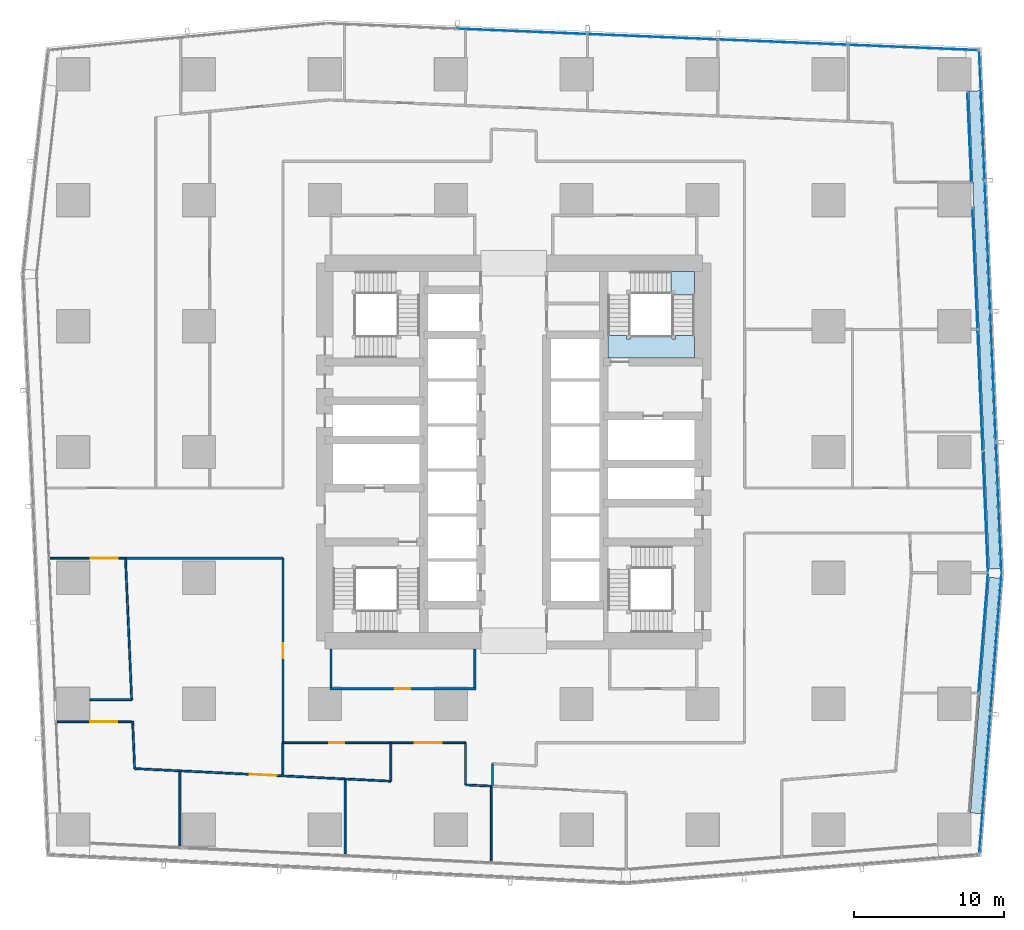
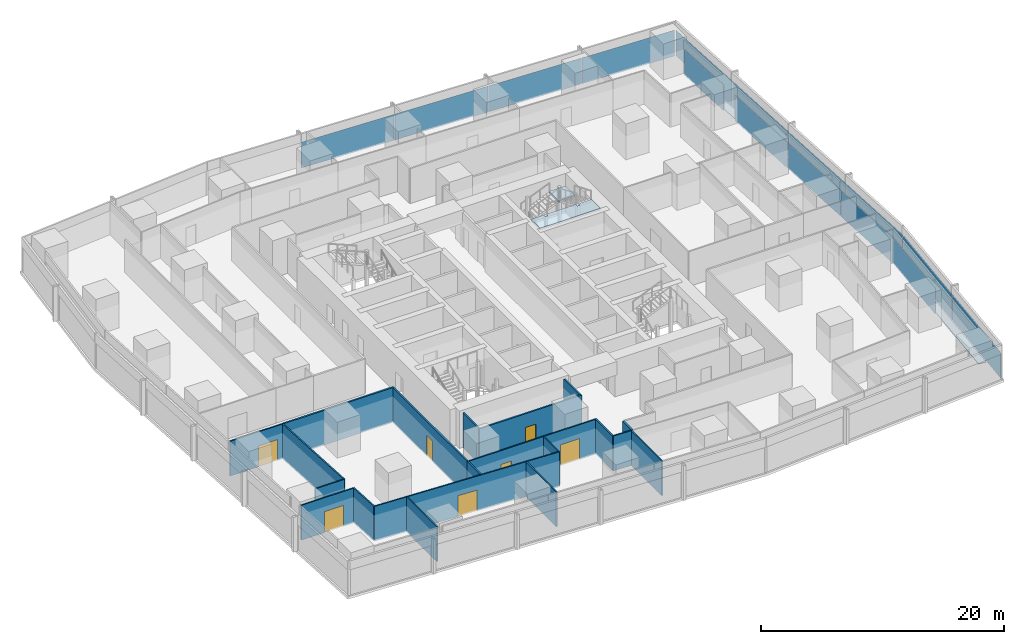
# One storey, part 31 of 44: 23 walls, 17 plates, 7 doors, 2 slabs, 7 openings, 7 elements without a shape of their own.
"""IFC4 building model written with IfcOpenShell, lengths in metres."""

from ifc_helpers import new_model, si_unit, direction, frame, frame_2d, origin, origin_2d, place, context, subcontext, project, spatial, polyline, rectangle, outline, extrude, material, layer, layer_set, type_object, element, fill, aggregate, save


model = new_model("IFC4")

# Units and contexts
model_context = context("Model", 3, precision=1e-05, world=origin(), true_north=direction((0.0, 1.0)))
body_context = subcontext(model_context, "Body", "Model", "MODEL_VIEW")
ifc_project = project(units=[si_unit("LENGTHUNIT", "METRE"), si_unit("AREAUNIT", "SQUARE_METRE"), si_unit("VOLUMEUNIT", "CUBIC_METRE"), si_unit("PLANEANGLEUNIT", "RADIAN"), si_unit("MASSUNIT", "GRAM", prefix="KILO")], contexts=[model_context])

# Site, building, storey
site_placement = place(None, origin())
site = spatial("IfcSite", under=ifc_project, at=site_placement, CompositionType="ELEMENT")
building_placement = place(site_placement, origin())
building = spatial("IfcBuilding", under=site, at=building_placement, Name="Rekha Terrace Tower", CompositionType="ELEMENT")
storey_placement = place(building_placement, frame((0.0, 0.0, 59.14990234375)))
storey = spatial("IfcBuildingStorey", under=building, at=storey_placement, Name="L14", CompositionType="ELEMENT", Elevation=59.14990234375)

# Curtain wall, plate
ifc_material_1 = material(Name="Aluminium framing", Category="aluminium")
curtain_wall_type_1 = type_object("IfcCurtainWallType", Name="CW1 double skin inner glazing", PredefinedType="USERDEFINED", material=ifc_material_1)
curtain_wall_1_placement = place(storey_placement, origin())
curtain_wall_1 = element("IfcCurtainWall", 1, at=curtain_wall_1_placement, inside=storey, type_object=curtain_wall_type_1, Name="CW1 double skin inner glazing", ObjectType="DOUBLE SKIN INNER GLAZING", PredefinedType="USERDEFINED")
ifc_material_2 = material(Name="Double-glazed low-e unit 32", Category="glass")
ifc_layer_1 = layer(ifc_material_2, 0.031982421875)
ifc_layer_set_1 = layer_set([ifc_layer_1], Name="Double-glazed low-e unit 32")
plate_type_1 = type_object("IfcPlateType", Name="CW1 jumbo vision panel, double-glazed low-e unit 32", PredefinedType="CURTAIN_PANEL", material=ifc_layer_set_1)
plate_1_placement = place(storey_placement, frame((69.1220703125, 21.53759765625, 0.0), z_axis=(0.0, 0.0, 1.0), x_axis=(0.079116301, 0.996865392576, 0.0)))
plate_1 = element("IfcPlate", 2, at=plate_1_placement, type_object=plate_type_1, Name="CW1 panel 2.1", PredefinedType="CURTAIN_PANEL", context=body_context, shape_type="SweptSolid", body=[
    extrude(rectangle(XDim=7.988525390625, YDim=0.031982421875, at=origin_2d()), origin(), (0.0, 0.0, 1.0), 2.60009765625),
])
aggregate(curtain_wall_1, [plate_1])

# Curtain wall, plates
curtain_wall_2_placement = place(storey_placement, origin())
curtain_wall_2 = element("IfcCurtainWall", 3, at=curtain_wall_2_placement, inside=storey, type_object=curtain_wall_type_1, Name="CW1 double skin inner glazing", ObjectType="DOUBLE SKIN INNER GLAZING", PredefinedType="USERDEFINED")
plate_2_placement = place(storey_placement, frame((69.263671875, 29.60107421875, 0.0), z_axis=(0.0, 0.0, 1.0), x_axis=(-0.042696072921, 0.999088106904, 0.0)))
plate_2 = element("IfcPlate", 4, at=plate_2_placement, type_object=plate_type_1, Name="CW1 panel 1.1", PredefinedType="CURTAIN_PANEL", context=body_context, shape_type="SweptSolid", body=[
    extrude(rectangle(XDim=8.041015625, YDim=0.031982421875, at=origin_2d()), origin(), (0.0, 0.0, 1.0), 2.60009765625),
])
plate_3_placement = place(storey_placement, frame((68.9169921875, 37.7158203125, 0.0), z_axis=(0.0, 0.0, 1.0), x_axis=(-0.042696072921, 0.999088106904, 0.0)))
plate_3 = element("IfcPlate", 5, at=plate_3_placement, type_object=plate_type_1, Name="CW1 panel 2.1", PredefinedType="CURTAIN_PANEL", context=body_context, shape_type="SweptSolid", body=[
    extrude(rectangle(XDim=8.073486328125, YDim=0.031982421875, at=origin_2d()), origin(), (0.0, 0.0, 1.0), 2.60009765625),
])
plate_4_placement = place(storey_placement, frame((68.5703125, 45.83056640625, 0.0), z_axis=(0.0, 0.0, 1.0), x_axis=(-0.042696072921, 0.999088106904, 0.0)))
plate_4 = element("IfcPlate", 6, at=plate_4_placement, type_object=plate_type_1, Name="CW1 panel 3.1", PredefinedType="CURTAIN_PANEL", context=body_context, shape_type="SweptSolid", body=[
    extrude(rectangle(XDim=8.041015625, YDim=0.031982421875, at=origin_2d()), origin(), (0.0, 0.0, 1.0), 2.60009765625),
])
aggregate(curtain_wall_2, [plate_2, plate_3, plate_4])

# Curtain wall, plate
curtain_wall_3_placement = place(storey_placement, origin())
curtain_wall_3 = element("IfcCurtainWall", 7, at=curtain_wall_3_placement, inside=storey, type_object=curtain_wall_type_1, Name="CW1 double skin inner glazing", ObjectType="DOUBLE SKIN INNER GLAZING", PredefinedType="USERDEFINED")
plate_5_placement = place(storey_placement, frame((68.195556640625, 54.60009765625, 0.0), z_axis=(0.0, 0.0, 1.0), x_axis=(-0.042696073026, 0.9990881069, 0.0)))
plate_5 = element("IfcPlate", 8, at=plate_5_placement, type_object=plate_type_1, Name="CW1 panel 1.1", PredefinedType="CURTAIN_PANEL", context=body_context, shape_type="SweptSolid", body=[
    extrude(rectangle(XDim=6.027587890625, YDim=0.031982421875, at=origin_2d()), origin(), (0.0, 0.0, 1.0), 2.60009765625),
])
aggregate(curtain_wall_3, [plate_5])

# Curtain wall, plates
curtain_wall_type_2 = type_object("IfcCurtainWallType", Name="CW2 double skin outer glazing", PredefinedType="USERDEFINED", material=ifc_material_1)
curtain_wall_4_placement = place(storey_placement, origin())
curtain_wall_4 = element("IfcCurtainWall", 9, at=curtain_wall_4_placement, inside=storey, type_object=curtain_wall_type_2, Name="CW2 double skin outer glazing", ObjectType="DOUBLE SKIN OUTER GLAZING", PredefinedType="USERDEFINED")
ifc_material_3 = material(Name="Toughened single glazing 12", Category="glass")
ifc_layer_2 = layer(ifc_material_3, 0.011962890625)
ifc_layer_set_2 = layer_set([ifc_layer_2], Name="Toughened single glazing 12")
plate_type_2 = type_object("IfcPlateType", Name="CW2 jumbo vision panel, toughened single glazing 12", PredefinedType="CURTAIN_PANEL", material=ifc_layer_set_2)
plate_6_placement = place(storey_placement, frame((69.22509765625, 11.45703125, 0.0), z_axis=(0.0, 0.0, 1.0), x_axis=(0.079116301017, 0.996865392575, 0.0)))
plate_6 = element("IfcPlate", 10, at=plate_6_placement, type_object=plate_type_2, Name="CW2 panel 1.1", PredefinedType="CURTAIN_PANEL", context=body_context, shape_type="SweptSolid", body=[
    extrude(rectangle(XDim=9.28662109375, YDim=0.011962890625, at=origin_2d()), origin(), (0.0, 0.0, 1.0), 2.60009765625),
])
plate_7_placement = place(storey_placement, frame((69.96923828125, 20.834228515625, 0.0), z_axis=(0.0, 0.0, 1.0), x_axis=(0.079116301017, 0.996865392575, 0.0)))
plate_7 = element("IfcPlate", 11, at=plate_7_placement, type_object=plate_type_2, Name="CW2 panel 2.1", PredefinedType="CURTAIN_PANEL", context=body_context, shape_type="SweptSolid", body=[
    extrude(rectangle(XDim=9.36669921875, YDim=0.011962890625, at=origin_2d()), origin(), (0.0, 0.0, 1.0), 2.60009765625),
])
aggregate(curtain_wall_4, [plate_6, plate_7])

curtain_wall_5_placement = place(storey_placement, origin())
curtain_wall_5 = element("IfcCurtainWall", 12, at=curtain_wall_5_placement, inside=storey, type_object=curtain_wall_type_2, Name="CW2 double skin outer glazing", ObjectType="DOUBLE SKIN OUTER GLAZING", PredefinedType="USERDEFINED")
plate_8_placement = place(storey_placement, frame((70.152099609375, 29.890869140625, 0.0), z_axis=(0.0, 0.0, 1.0), x_axis=(-0.042696072956, 0.999088106903, 0.0)))
plate_8 = element("IfcPlate", 13, at=plate_8_placement, type_object=plate_type_2, Name="CW2 panel 1.1", PredefinedType="CURTAIN_PANEL", context=body_context, shape_type="SweptSolid", body=[
    extrude(rectangle(XDim=8.623779296875, YDim=0.011962890625, at=origin_2d()), origin(), (0.0, 0.0, 1.0), 2.60009765625),
])
plate_9_placement = place(storey_placement, frame((69.77978515625, 38.606689453125, 0.0), z_axis=(0.0, 0.0, 1.0), x_axis=(-0.042696072956, 0.999088106903, 0.0)))
plate_9 = element("IfcPlate", 14, at=plate_9_placement, type_object=plate_type_2, Name="CW2 panel 2.1", PredefinedType="CURTAIN_PANEL", context=body_context, shape_type="SweptSolid", body=[
    extrude(rectangle(XDim=8.663818359375, YDim=0.011962890625, at=origin_2d()), origin(), (0.0, 0.0, 1.0), 2.60009765625),
])
plate_10_placement = place(storey_placement, frame((69.406494140625, 47.342529296875, 0.0), z_axis=(0.0, 0.0, 1.0), x_axis=(-0.042696072956, 0.999088106903, 0.0)))
plate_10 = element("IfcPlate", 15, at=plate_10_placement, type_object=plate_type_2, Name="CW2 panel 3.1", PredefinedType="CURTAIN_PANEL", context=body_context, shape_type="SweptSolid", body=[
    extrude(rectangle(XDim=8.663818359375, YDim=0.011962890625, at=origin_2d()), origin(), (0.0, 0.0, 1.0), 2.60009765625),
])
plate_11_placement = place(storey_placement, frame((69.033935546875, 56.058349609375, 0.0), z_axis=(0.0, 0.0, 1.0), x_axis=(-0.042696072956, 0.999088106903, 0.0)))
plate_11 = element("IfcPlate", 16, at=plate_11_placement, type_object=plate_type_2, Name="CW2 panel 4.1", PredefinedType="CURTAIN_PANEL", context=body_context, shape_type="SweptSolid", body=[
    extrude(rectangle(XDim=8.623779296875, YDim=0.011962890625, at=origin_2d()), origin(), (0.0, 0.0, 1.0), 2.60009765625),
])
aggregate(curtain_wall_5, [plate_8, plate_9, plate_10, plate_11])

curtain_wall_type_3 = type_object("IfcCurtainWallType", Name="CW3 north unitised glazing", PredefinedType="USERDEFINED", material=ifc_material_1)
curtain_wall_6_placement = place(storey_placement, origin())
curtain_wall_6 = element("IfcCurtainWall", 17, at=curtain_wall_6_placement, inside=storey, type_object=curtain_wall_type_3, Name="CW3 unitised curtain wall", ObjectType="UNITISED CURTAIN WALL", PredefinedType="USERDEFINED")
ifc_material_4 = material(Name="Double-glazed unit 28", Category="glass")
ifc_layer_3 = layer(ifc_material_4, 0.028076171875)
ifc_layer_set_3 = layer_set([ifc_layer_3], Name="Double-glazed unit 28")
plate_type_3 = type_object("IfcPlateType", Name="CW3 jumbo vision panel, double-glazed unit 28", PredefinedType="CURTAIN_PANEL", material=ifc_layer_set_3)
plate_12_placement = place(storey_placement, frame((64.4423828125, 60.587646484375, 0.0), z_axis=(0.0, 0.0, 1.0), x_axis=(-0.999151997647, 0.041173846041, 0.0)))
plate_12 = element("IfcPlate", 18, at=plate_12_placement, type_object=plate_type_3, Name="CW3 panel 1.1", PredefinedType="CURTAIN_PANEL", context=body_context, shape_type="SweptSolid", body=[
    extrude(rectangle(XDim=8.598876953125, YDim=0.028076171875, at=origin_2d()), origin(), (0.0, 0.0, 1.0), 2.60009765625),
])
plate_13_placement = place(storey_placement, frame((55.76318359375, 60.9453125, 0.0), z_axis=(0.0, 0.0, 1.0), x_axis=(-0.999151997647, 0.041173846041, 0.0)))
plate_13 = element("IfcPlate", 19, at=plate_13_placement, type_object=plate_type_3, Name="CW3 panel 2.1", PredefinedType="CURTAIN_PANEL", context=body_context, shape_type="SweptSolid", body=[
    extrude(rectangle(XDim=8.6337890625, YDim=0.028076171875, at=origin_2d()), origin(), (0.0, 0.0, 1.0), 2.60009765625),
])
plate_14_placement = place(storey_placement, frame((47.066650390625, 61.3037109375, 0.0), z_axis=(0.0, 0.0, 1.0), x_axis=(-0.999151997647, 0.041173846041, 0.0)))
plate_14 = element("IfcPlate", 20, at=plate_14_placement, type_object=plate_type_3, Name="CW3 panel 3.1", PredefinedType="CURTAIN_PANEL", context=body_context, shape_type="SweptSolid", body=[
    extrude(rectangle(XDim=8.6337890625, YDim=0.028076171875, at=origin_2d()), origin(), (0.0, 0.0, 1.0), 2.60009765625),
])
plate_15_placement = place(storey_placement, frame((38.370361328125, 61.662109375, 0.0), z_axis=(0.0, 0.0, 1.0), x_axis=(-0.999151997647, 0.041173846041, 0.0)))
plate_15 = element("IfcPlate", 21, at=plate_15_placement, type_object=plate_type_3, Name="CW3 panel 4.1", PredefinedType="CURTAIN_PANEL", context=body_context, shape_type="SweptSolid", body=[
    extrude(rectangle(XDim=8.6337890625, YDim=0.028076171875, at=origin_2d()), origin(), (0.0, 0.0, 1.0), 2.60009765625),
])
aggregate(curtain_wall_6, [plate_12, plate_13, plate_14, plate_15])

# Plates
ifc_material_5 = material(Name="Galvanised steel open grating", Category="steel")
ifc_layer_4 = layer(ifc_material_5, 0.050048828125)
ifc_layer_set_4 = layer_set([ifc_layer_4], Name="Galvanised steel open grating")
plate_type_4 = type_object("IfcPlateType", Name="GT1 cavity walkway grating 50", PredefinedType="USERDEFINED", material=ifc_layer_set_4)
plate_16_placement = place(storey_placement, frame((69.241455078125, 17.353515625, 0.0), z_axis=(0.0, 0.0, 1.0), x_axis=(0.079116301, 0.996865392576, 0.0)))
element("IfcPlate", 22, at=plate_16_placement, inside=storey, type_object=plate_type_4, Name="Cavity walkway grating", ObjectType="CAVITY WALKWAY GRATING", PredefinedType="USERDEFINED", context=body_context, shape_type="SweptSolid", body=[
    extrude(rectangle(XDim=15.7666015625, YDim=0.705078125, at=origin_2d()), origin(), (0.0, 0.0, 1.0), 0.050048828125),
])
plate_17_placement = place(storey_placement, frame((69.195068359375, 41.75, 0.0), z_axis=(0.0, 0.0, 1.0), x_axis=(-0.042696072939, 0.999088106903, 0.0)))
element("IfcPlate", 23, at=plate_17_placement, inside=storey, type_object=plate_type_4, Name="Cavity walkway grating", ObjectType="CAVITY WALKWAY GRATING", PredefinedType="USERDEFINED", context=body_context, shape_type="SweptSolid", body=[
    extrude(rectangle(XDim=31.9072265625, YDim=0.705078125, at=origin_2d()), origin(), (0.0, 0.0, 1.0), 0.050048828125),
])

# Stair, slabs
ifc_material_6 = material(Name="Concrete M40", Category="concrete")
stair_type = type_object("IfcStairType", Name="ST30 stair, 30 risers of 125, going 300, 1500 wide flights, 3 flights", PredefinedType="HALF_TURN_STAIR", material=ifc_material_6)
stair_placement = place(storey_placement, origin())
stair = element("IfcStair", 24, at=stair_placement, inside=storey, type_object=stair_type, Name="Stair ST2 L14 to L15", PredefinedType="HALF_TURN_STAIR")
ifc_layer_5 = layer(ifc_material_6, 0.199951171875)
ifc_layer_set_5 = layer_set([ifc_layer_5], Name="Concrete M40")
slab_type = type_object("IfcSlabType", Name="LD1 200 concrete stair landing", PredefinedType="LANDING", material=ifc_layer_set_5)
slab_1_placement = place(storey_placement, frame((0.0, 0.0, 2.300048828125)))
slab_1 = element("IfcSlab", 25, at=slab_1_placement, type_object=slab_type, Name="ST2 landing 2", PredefinedType="LANDING", context=body_context, shape_type="SweptSolid", body=[
    extrude(outline(polyline([(48.35009765625, 44.074951171875), (49.85009765625, 44.074951171875), (49.85009765625, 45.64990234375), (48.27490234375, 45.64990234375), (48.27490234375, 44.14990234375), (48.35009765625, 44.14990234375), (48.35009765625, 44.074951171875)])), origin(), (0.0, 0.0, 1.0), 0.199951171875),
])
slab_2_placement = place(storey_placement, frame((0.0, 0.0, 3.550048828125)))
slab_2 = element("IfcSlab", 26, at=slab_2_placement, type_object=slab_type, Name="ST2 landing 3", PredefinedType="LANDING", context=body_context, shape_type="SweptSolid", body=[
    extrude(outline(polyline([(44.074951171875, 41.375), (44.074951171875, 39.875), (49.85009765625, 39.875), (49.85009765625, 41.375), (48.60009765625, 41.375), (48.60009765625, 41.125), (48.35009765625, 41.125), (48.35009765625, 41.375), (45.574951171875, 41.375), (45.574951171875, 41.125), (45.324951171875, 41.125), (45.324951171875, 41.375), (44.074951171875, 41.375)])), origin(), (0.0, 0.0, 1.0), 0.199951171875),
])
aggregate(stair, [slab_1, slab_2])

# Wall, opening, door
ifc_material_7 = material(Name="Concrete block masonry, 1 hour", Category="masonry")
ifc_layer_6 = layer(ifc_material_7, 0.14990234375)
ifc_layer_set_6 = layer_set([ifc_layer_6], Name="Concrete block masonry, 1 hour")
wall_type_1 = type_object("IfcWallType", Name="WP2 150 tenancy partition", PredefinedType="PARTITIONING", material=ifc_layer_set_6)
wall_1_placement = place(storey_placement, frame((25.52490234375, 17.800048828125, 0.0), z_axis=(0.0, 0.0, 1.0), x_axis=(1.0, 0.0, 0.0)))
wall_1 = element("IfcWall", 27, at=wall_1_placement, inside=storey, type_object=wall_type_1, Name="Men's WC wall L14", PredefinedType="PARTITIONING", context=body_context, shape_type="SweptSolid", body=[
    extrude(rectangle(XDim=9.75, YDim=0.14990234375, at=frame_2d((4.875, 0.0))), origin(), (0.0, 0.0, 1.0), 3.5),
])
opening_1_placement = place(wall_1_placement, frame((4.375, 0.0, 0.0)))
opening_1 = element("IfcOpeningElement", 28, at=opening_1_placement, cuts=wall_1, Name="Opening D3", PredefinedType="OPENING", context=body_context, shape_type="SweptSolid", body=[
    extrude(rectangle(XDim=1.0, YDim=2.10009765625, at=frame_2d((0.5, 1.050048828125))), frame((0.0, 0.0849609375, 0.0), z_axis=(0.0, -1.0, 0.0), x_axis=(1.0, 0.0, 0.0)), (0.0, 0.0, 1.0), 0.169921875),
])
ifc_material_8 = material(Name="Laminated timber fire door", Category="wood")
door_type_1 = type_object("IfcDoorType", Name="D3 1000x2100 WC door", OperationType="SINGLE_SWING_LEFT", PredefinedType="DOOR", material=ifc_material_8)
door_1_placement = place(opening_1_placement, origin())
door_1 = element("IfcDoor", 29, at=door_1_placement, inside=storey, type_object=door_type_1, Name="Door men's wc L14", OperationType="SINGLE_SWING_LEFT", OverallHeight=2.10009765625, OverallWidth=1.0, PredefinedType="DOOR", context=body_context, shape_type="SweptSolid", body=[
    extrude(rectangle(XDim=1.0, YDim=2.10009765625, at=frame_2d((0.5, 1.050048828125))), frame((0.0, 0.02490234375, 0.0), z_axis=(0.0, -1.0, 0.0), x_axis=(1.0, 0.0, 0.0)), (0.0, 0.0, 1.0), 0.050048828125),
])
fill(opening_1, door_1)

# Walls
for number, where, z_axis, x_axis, name in (
    (30, (25.60009765625, 17.875, 0.0), (0.0, 0.0, 1.0), (0.0, 1.0, 0.0), "Men's WC wall L14"),
    (31, (35.199951171875, 17.875, 0.0), (0.0, 0.0, 1.0), (0.0, 1.0, 0.0), "Men's WC wall L14"),
):
    element("IfcWall", number, at=place(storey_placement, frame(where, z_axis=z_axis, x_axis=x_axis)), inside=storey, type_object=wall_type_1, Name=name, PredefinedType="PARTITIONING", context=body_context, shape_type="SweptSolid", body=[
        extrude(rectangle(XDim=2.574951171875, YDim=0.14990234375, at=frame_2d((1.28759765625, 0.0))), origin(), (0.0, 0.0, 1.0), 3.5),
    ])
wall_2_placement = place(storey_placement, frame((36.384033203125, 11.366943359375, 0.0), z_axis=(0.0, 0.0, 1.0), x_axis=(0.0, 1.0, 0.0)))
element("IfcWall", 32, at=wall_2_placement, inside=storey, type_object=wall_type_1, Name="Partition L14-O1", PredefinedType="PARTITIONING", context=body_context, shape_type="SweptSolid", body=[
    extrude(rectangle(XDim=1.43896484375, YDim=0.14990234375, at=frame_2d((0.719482421875, 0.0))), origin(), (0.0, 0.0, 1.0), 3.5),
])
wall_3_placement = place(storey_placement, frame((11.89599609375, 26.511962890625, 0.0), z_axis=(0.0, 0.0, 1.0), x_axis=(1.0, 0.0, 0.0)))
element("IfcWall", 33, at=wall_3_placement, inside=storey, type_object=wall_type_1, Name="Partition L14-O1b", PredefinedType="PARTITIONING", context=body_context, shape_type="SweptSolid", body=[
    extrude(rectangle(XDim=10.50390625, YDim=0.14990234375, at=frame_2d((5.251953125, 0.0))), origin(), (0.0, 0.0, 1.0), 3.5),
])

# Wall, opening, door
wall_4_placement = place(storey_placement, frame((22.39990234375, 26.511962890625, 0.0), z_axis=(0.0, 0.0, 1.0), x_axis=(0.0, -1.0, 0.0)))
wall_4 = element("IfcWall", 34, at=wall_4_placement, inside=storey, type_object=wall_type_1, Name="Partition L14-O1b", PredefinedType="PARTITIONING", context=body_context, shape_type="SweptSolid", body=[
    extrude(rectangle(XDim=12.31201171875, YDim=0.14990234375, at=frame_2d((6.156005859375, 0.0))), origin(), (0.0, 0.0, 1.0), 3.5),
])
opening_2_placement = place(wall_4_placement, frame((5.656005859375, 0.0, 0.0)))
opening_2 = element("IfcOpeningElement", 35, at=opening_2_placement, cuts=wall_4, Name="Opening D9", PredefinedType="OPENING", context=body_context, shape_type="SweptSolid", body=[
    extrude(rectangle(XDim=1.0, YDim=2.10009765625, at=frame_2d((0.5, 1.050048828125))), frame((0.0, 0.0849609375, 0.0), z_axis=(0.0, -1.0, 0.0), x_axis=(1.0, 0.0, 0.0)), (0.0, 0.0, 1.0), 0.169921875),
])
ifc_material_9 = material(Name="Timber fire door", Category="wood")
door_type_2 = type_object("IfcDoorType", Name="D9 1000x2100 office door", OperationType="SINGLE_SWING_LEFT", PredefinedType="DOOR", material=ifc_material_9)
door_2_placement = place(opening_2_placement, origin())
door_2 = element("IfcDoor", 36, at=door_2_placement, inside=storey, type_object=door_type_2, Name="Door open-plan office L14", OperationType="SINGLE_SWING_LEFT", OverallHeight=2.10009765625, OverallWidth=1.0, PredefinedType="DOOR", context=body_context, shape_type="SweptSolid", body=[
    extrude(rectangle(XDim=1.0, YDim=2.10009765625, at=frame_2d((0.5, 1.050048828125))), frame((0.0, 0.02490234375, 0.0), z_axis=(0.0, -1.0, 0.0), x_axis=(1.0, 0.0, 0.0)), (0.0, 0.0, 1.0), 0.050048828125),
])
fill(opening_2, door_2)

# Walls
ifc_material_10 = material(Name="Two layers of fire-rated gypsum board each side on steel studs, acoustic quilt, 1 hour", Category="steel")
ifc_layer_7 = layer(ifc_material_10, 0.125)
ifc_layer_set_7 = layer_set([ifc_layer_7], Name="Two layers of fire-rated gypsum board each side on steel studs, acoustic quilt, 1 hour")
wall_type_2 = type_object("IfcWallType", Name="WP3 125 office partition", PredefinedType="PARTITIONING", material=ifc_layer_set_7)
wall_5_placement = place(storey_placement, frame((36.299072265625, 6.2529296875, 0.0), z_axis=(0.0, 0.0, 1.0), x_axis=(0.0, 1.0, 0.0)))
element("IfcWall", 37, at=wall_5_placement, inside=storey, type_object=wall_type_2, Name="Partition L14-02", PredefinedType="PARTITIONING", context=body_context, shape_type="SweptSolid", body=[
    extrude(rectangle(XDim=5.05615234375, YDim=0.125, at=frame_2d((2.528076171875, 0.0))), origin(), (0.0, 0.0, 1.0), 3.5),
])
wall_6_placement = place(storey_placement, frame((11.89599609375, 26.511962890625, 0.0), z_axis=(0.0, 0.0, 1.0), x_axis=(0.043651567972, -0.999046816027, 0.0)))
element("IfcWall", 38, at=wall_6_placement, inside=storey, type_object=wall_type_2, Name="Partition L14-06", PredefinedType="PARTITIONING", context=body_context, shape_type="SweptSolid", body=[
    extrude(rectangle(XDim=9.44091796875, YDim=0.125, at=frame_2d((4.720458984375, 0.0))), origin(), (0.0, 0.0, 1.0), 3.5),
])
wall_7_placement = place(storey_placement, frame((12.30810546875, 17.080078125, 0.0), z_axis=(0.0, 0.0, 1.0), x_axis=(-1.0, 0.0, 0.0)))
element("IfcWall", 39, at=wall_7_placement, inside=storey, type_object=wall_type_2, Name="Partition L14-06", PredefinedType="PARTITIONING", context=body_context, shape_type="SweptSolid", body=[
    extrude(rectangle(XDim=2.7880859375, YDim=0.125, at=frame_2d((1.39404296875, 0.0))), origin(), (0.0, 0.0, 1.0), 3.5),
])

# Wall, opening, door
wall_8_placement = place(storey_placement, frame((6.87109375, 26.511962890625, 0.0), z_axis=(0.0, 0.0, 1.0), x_axis=(1.0, 0.0, 0.0)))
wall_8 = element("IfcWall", 40, at=wall_8_placement, inside=storey, type_object=wall_type_2, Name="Partition L14-06", PredefinedType="PARTITIONING", context=body_context, shape_type="SweptSolid", body=[
    extrude(rectangle(XDim=5.02490234375, YDim=0.125, at=frame_2d((2.512451171875, 0.0))), origin(), (0.0, 0.0, 1.0), 3.5),
])
opening_3_placement = place(wall_8_placement, frame((2.7119140625, 0.0, 0.0)))
opening_3 = element("IfcOpeningElement", 41, at=opening_3_placement, cuts=wall_8, Name="Opening D8", PredefinedType="OPENING", context=body_context, shape_type="SweptSolid", body=[
    extrude(rectangle(XDim=1.800048828125, YDim=2.10009765625, at=frame_2d((0.89990234375, 1.050048828125))), frame((0.0, 0.072509765625, 0.0), z_axis=(0.0, -1.0, 0.0), x_axis=(1.0, 0.0, 0.0)), (0.0, 0.0, 1.0), 0.14501953125),
])
door_type_3 = type_object("IfcDoorType", Name="D8 1800x2100 double leaf door", OperationType="DOUBLE_DOOR_SINGLE_SWING", PredefinedType="DOOR", material=ifc_material_9)
door_3_placement = place(opening_3_placement, origin())
door_3 = element("IfcDoor", 42, at=door_3_placement, inside=storey, type_object=door_type_3, Name="Door breakout lounge L14", OperationType="DOUBLE_DOOR_SINGLE_SWING", OverallHeight=2.10009765625, OverallWidth=1.800048828125, PredefinedType="DOOR", context=body_context, shape_type="SweptSolid", body=[
    extrude(rectangle(XDim=1.800048828125, YDim=2.10009765625, at=frame_2d((0.89990234375, 1.050048828125))), frame((0.0, 0.02490234375, 0.0), z_axis=(0.0, -1.0, 0.0), x_axis=(1.0, 0.0, 0.0)), (0.0, 0.0, 1.0), 0.050048828125),
])
fill(opening_3, door_3)

wall_9_placement = place(storey_placement, frame((7.346923828125, 15.60791015625, 0.0), z_axis=(0.0, 0.0, 1.0), x_axis=(1.0, 0.0, 0.0)))
wall_9 = element("IfcWall", 43, at=wall_9_placement, inside=storey, type_object=wall_type_2, Name="Partition L14-07", PredefinedType="PARTITIONING", context=body_context, shape_type="SweptSolid", body=[
    extrude(rectangle(XDim=4.963134765625, YDim=0.125, at=frame_2d((2.4814453125, 0.0))), origin(), (0.0, 0.0, 1.0), 3.5),
])
opening_4_placement = place(wall_9_placement, frame((2.2119140625, 0.0, 0.0)))
opening_4 = element("IfcOpeningElement", 44, at=opening_4_placement, cuts=wall_9, Name="Opening D8", PredefinedType="OPENING", context=body_context, shape_type="SweptSolid", body=[
    extrude(rectangle(XDim=1.800048828125, YDim=2.10009765625, at=frame_2d((0.89990234375, 1.050048828125))), frame((0.0, 0.072509765625, 0.0), z_axis=(0.0, -1.0, 0.0), x_axis=(1.0, 0.0, 0.0)), (0.0, 0.0, 1.0), 0.14501953125),
])
door_4_placement = place(opening_4_placement, origin())
door_4 = element("IfcDoor", 45, at=door_4_placement, inside=storey, type_object=door_type_3, Name="Door meeting room L14", OperationType="DOUBLE_DOOR_SINGLE_SWING", OverallHeight=2.10009765625, OverallWidth=1.800048828125, PredefinedType="DOOR", context=body_context, shape_type="SweptSolid", body=[
    extrude(rectangle(XDim=1.800048828125, YDim=2.10009765625, at=frame_2d((0.89990234375, 1.050048828125))), frame((0.0, 0.02490234375, 0.0), z_axis=(0.0, -1.0, 0.0), x_axis=(1.0, 0.0, 0.0)), (0.0, 0.0, 1.0), 0.050048828125),
])
fill(opening_4, door_4)

# Walls
wall_10_placement = place(storey_placement, frame((12.37109375, 15.64306640625, 0.0), z_axis=(0.0, 0.0, 1.0), x_axis=(0.043527491497, -0.999052229608, 0.0)))
element("IfcWall", 46, at=wall_10_placement, inside=storey, type_object=wall_type_2, Name="Partition L14-07", PredefinedType="PARTITIONING", context=body_context, shape_type="SweptSolid", body=[
    extrude(rectangle(XDim=3.1689453125, YDim=0.125, at=frame_2d((1.58447265625, 0.0))), origin(), (0.0, 0.0, 1.0), 3.5),
])
wall_11_placement = place(storey_placement, frame((12.509033203125, 12.47705078125, 0.0), z_axis=(0.0, 0.0, 1.0), x_axis=(0.9987981005, -0.049013818844, 0.0)))
element("IfcWall", 47, at=wall_11_placement, inside=storey, type_object=wall_type_2, Name="Partition L14-07", PredefinedType="PARTITIONING", context=body_context, shape_type="SweptSolid", body=[
    extrude(rectangle(XDim=3.0185546875, YDim=0.125, at=frame_2d((1.50927734375, 0.0))), origin(), (0.0, 0.0, 1.0), 3.5),
])
wall_12_placement = place(storey_placement, frame((15.52392578125, 12.3291015625, 0.0), z_axis=(0.0, 0.0, 1.0), x_axis=(0.0, -1.0, 0.0)))
element("IfcWall", 48, at=wall_12_placement, inside=storey, type_object=wall_type_2, Name="Partition L14-07", PredefinedType="PARTITIONING", context=body_context, shape_type="SweptSolid", body=[
    extrude(rectangle(XDim=5.026123046875, YDim=0.125, at=frame_2d((2.51318359375, 0.0))), origin(), (0.0, 0.0, 1.0), 3.5),
])

# Wall, opening, door
wall_13_placement = place(storey_placement, frame((15.5859375, 12.325927734375, 0.0), z_axis=(0.0, 0.0, 1.0), x_axis=(0.998798341691, -0.04900890364, 0.0)))
wall_13 = element("IfcWall", 49, at=wall_13_placement, inside=storey, type_object=wall_type_2, Name="Partition L14-08", PredefinedType="PARTITIONING", context=body_context, shape_type="SweptSolid", body=[
    extrude(rectangle(XDim=10.974365234375, YDim=0.125, at=frame_2d((5.4873046875, 0.0))), origin(), (0.0, 0.0, 1.0), 3.5),
])
opening_5_placement = place(wall_13_placement, frame((4.614990234375, 0.0, 0.0)))
opening_5 = element("IfcOpeningElement", 50, at=opening_5_placement, cuts=wall_13, Name="Opening D8", PredefinedType="OPENING", context=body_context, shape_type="SweptSolid", body=[
    extrude(rectangle(XDim=1.800048828125, YDim=2.10009765625, at=frame_2d((0.89990234375, 1.050048828125))), frame((0.0, 0.072509765625, 0.0), z_axis=(0.0, -1.0, 0.0), x_axis=(1.0, 0.0, 0.0)), (0.0, 0.0, 1.0), 0.14501953125),
])
door_5_placement = place(opening_5_placement, origin())
door_5 = element("IfcDoor", 51, at=door_5_placement, inside=storey, type_object=door_type_3, Name="Door quiet room L14", OperationType="DOUBLE_DOOR_SINGLE_SWING", OverallHeight=2.10009765625, OverallWidth=1.800048828125, PredefinedType="DOOR", context=body_context, shape_type="SweptSolid", body=[
    extrude(rectangle(XDim=1.800048828125, YDim=2.10009765625, at=frame_2d((0.89990234375, 1.050048828125))), frame((0.0, 0.02490234375, 0.0), z_axis=(0.0, -1.0, 0.0), x_axis=(1.0, 0.0, 0.0)), (0.0, 0.0, 1.0), 0.050048828125),
])
fill(opening_5, door_5)

# Walls
wall_14_placement = place(storey_placement, frame((26.547119140625, 11.72509765625, 0.0), z_axis=(0.0, 0.0, 1.0), x_axis=(0.0, -1.0, 0.0)))
element("IfcWall", 52, at=wall_14_placement, inside=storey, type_object=wall_type_2, Name="Partition L14-08", PredefinedType="PARTITIONING", context=body_context, shape_type="SweptSolid", body=[
    extrude(rectangle(XDim=4.9931640625, YDim=0.125, at=frame_2d((2.49658203125, 0.0))), origin(), (0.0, 0.0, 1.0), 3.5),
])
wall_15_placement = place(storey_placement, frame((29.60009765625, 11.637939453125, 0.0), z_axis=(0.0, 0.0, 1.0), x_axis=(0.0, 1.0, 0.0)))
element("IfcWall", 53, at=wall_15_placement, inside=storey, type_object=wall_type_2, Name="Partition L14-09", PredefinedType="PARTITIONING", context=body_context, shape_type="SweptSolid", body=[
    extrude(rectangle(XDim=2.56201171875, YDim=0.125, at=frame_2d((1.281005859375, 0.0))), origin(), (0.0, 0.0, 1.0), 3.5),
])

# Wall, opening, door
wall_16_placement = place(storey_placement, frame((29.60009765625, 14.199951171875, 0.0), z_axis=(0.0, 0.0, 1.0), x_axis=(1.0, 0.0, 0.0)))
wall_16 = element("IfcWall", 54, at=wall_16_placement, inside=storey, type_object=wall_type_2, Name="Partition L14-09", PredefinedType="PARTITIONING", context=body_context, shape_type="SweptSolid", body=[
    extrude(rectangle(XDim=4.98388671875, YDim=0.125, at=frame_2d((2.491943359375, 0.0))), origin(), (0.0, 0.0, 1.0), 3.5),
])
opening_6_placement = place(wall_16_placement, frame((1.592041015625, 0.0, 0.0)))
opening_6 = element("IfcOpeningElement", 55, at=opening_6_placement, cuts=wall_16, Name="Opening D8", PredefinedType="OPENING", context=body_context, shape_type="SweptSolid", body=[
    extrude(rectangle(XDim=1.800048828125, YDim=2.10009765625, at=frame_2d((0.89990234375, 1.050048828125))), frame((0.0, 0.072509765625, 0.0), z_axis=(0.0, -1.0, 0.0), x_axis=(1.0, 0.0, 0.0)), (0.0, 0.0, 1.0), 0.14501953125),
])
door_6_placement = place(opening_6_placement, origin())
door_6 = element("IfcDoor", 56, at=door_6_placement, inside=storey, type_object=door_type_3, Name="Door meeting room L14", OperationType="DOUBLE_DOOR_SINGLE_SWING", OverallHeight=2.10009765625, OverallWidth=1.800048828125, PredefinedType="DOOR", context=body_context, shape_type="SweptSolid", body=[
    extrude(rectangle(XDim=1.800048828125, YDim=2.10009765625, at=frame_2d((0.89990234375, 1.050048828125))), frame((0.0, 0.02490234375, 0.0), z_axis=(0.0, -1.0, 0.0), x_axis=(1.0, 0.0, 0.0)), (0.0, 0.0, 1.0), 0.050048828125),
])
fill(opening_6, door_6)

# Walls
wall_17_placement = place(storey_placement, frame((34.583984375, 14.199951171875, 0.0), z_axis=(0.0, 0.0, 1.0), x_axis=(0.0, -1.0, 0.0)))
element("IfcWall", 57, at=wall_17_placement, inside=storey, type_object=wall_type_2, Name="Partition L14-09", PredefinedType="PARTITIONING", context=body_context, shape_type="SweptSolid", body=[
    extrude(rectangle(XDim=2.806884765625, YDim=0.125, at=frame_2d((1.4033203125, 0.0))), origin(), (0.0, 0.0, 1.0), 3.5),
])
wall_18_placement = place(storey_placement, frame((34.583984375, 11.39306640625, 0.0), z_axis=(0.0, 0.0, 1.0), x_axis=(0.998801859142, -0.048937165581, 0.0)))
element("IfcWall", 58, at=wall_18_placement, inside=storey, type_object=wall_type_2, Name="Partition L14-09", PredefinedType="PARTITIONING", context=body_context, shape_type="SweptSolid", body=[
    extrude(rectangle(XDim=1.716064453125, YDim=0.125, at=frame_2d((0.85791015625, 0.0))), origin(), (0.0, 0.0, 1.0), 3.5),
])
wall_19_placement = place(storey_placement, frame((26.548095703125, 11.7880859375, 0.0), z_axis=(0.0, 0.0, 1.0), x_axis=(0.998792065816, -0.049136638707, 0.0)))
element("IfcWall", 59, at=wall_19_placement, inside=storey, type_object=wall_type_2, Name="Partition L14-09", PredefinedType="PARTITIONING", context=body_context, shape_type="SweptSolid", body=[
    extrude(rectangle(XDim=3.0556640625, YDim=0.125, at=frame_2d((1.52783203125, 0.0))), origin(), (0.0, 0.0, 1.0), 3.5),
])
wall_20_placement = place(storey_placement, frame((22.39990234375, 12.053955078125, 0.0), z_axis=(0.0, 0.0, 1.0), x_axis=(0.0, 1.0, 0.0)))
element("IfcWall", 60, at=wall_20_placement, inside=storey, type_object=wall_type_2, Name="Partition L14-10", PredefinedType="PARTITIONING", context=body_context, shape_type="SweptSolid", body=[
    extrude(rectangle(XDim=2.14599609375, YDim=0.125, at=frame_2d((1.072998046875, 0.0))), origin(), (0.0, 0.0, 1.0), 3.5),
])

# Wall, opening, door
wall_21_placement = place(storey_placement, frame((22.39990234375, 14.199951171875, 0.0), z_axis=(0.0, 0.0, 1.0), x_axis=(1.0, 0.0, 0.0)))
wall_21 = element("IfcWall", 61, at=wall_21_placement, inside=storey, type_object=wall_type_2, Name="Partition L14-10", PredefinedType="PARTITIONING", context=body_context, shape_type="SweptSolid", body=[
    extrude(rectangle(XDim=7.2001953125, YDim=0.125, at=frame_2d((3.60009765625, 0.0))), origin(), (0.0, 0.0, 1.0), 3.5),
])
opening_7_placement = place(wall_21_placement, frame((3.10009765625, 0.0, 0.0)))
opening_7 = element("IfcOpeningElement", 62, at=opening_7_placement, cuts=wall_21, Name="Opening D9", PredefinedType="OPENING", context=body_context, shape_type="SweptSolid", body=[
    extrude(rectangle(XDim=1.0, YDim=2.10009765625, at=frame_2d((0.5, 1.050048828125))), frame((0.0, 0.072509765625, 0.0), z_axis=(0.0, -1.0, 0.0), x_axis=(1.0, 0.0, 0.0)), (0.0, 0.0, 1.0), 0.14501953125),
])
door_7_placement = place(opening_7_placement, origin())
door_7 = element("IfcDoor", 63, at=door_7_placement, inside=storey, type_object=door_type_2, Name="Door reception L14", OperationType="SINGLE_SWING_LEFT", OverallHeight=2.10009765625, OverallWidth=1.0, PredefinedType="DOOR", context=body_context, shape_type="SweptSolid", body=[
    extrude(rectangle(XDim=1.0, YDim=2.10009765625, at=frame_2d((0.5, 1.050048828125))), frame((0.0, 0.02490234375, 0.0), z_axis=(0.0, -1.0, 0.0), x_axis=(1.0, 0.0, 0.0)), (0.0, 0.0, 1.0), 0.050048828125),
])
fill(opening_7, door_7)

save(model, "model.ifc")
